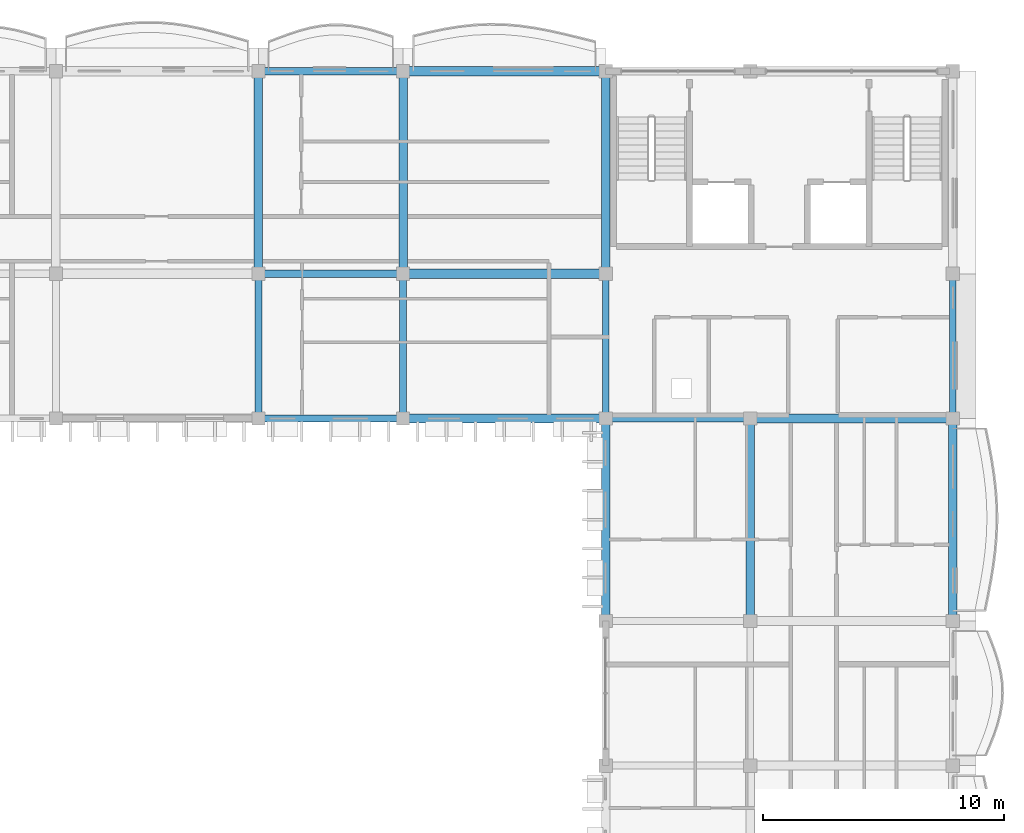
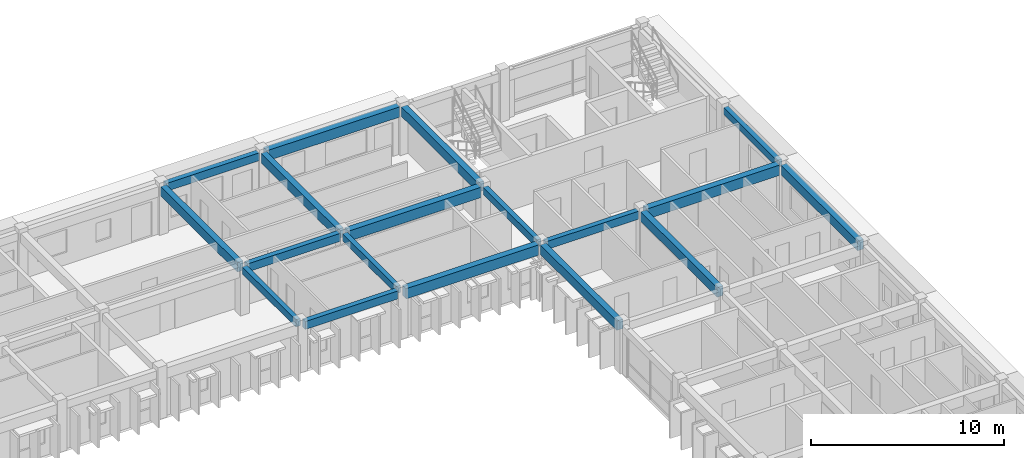
# One storey, part 15 of 54: 18 beams.
"""IFC4 building model written with IfcOpenShell, lengths in metres."""

from ifc_helpers import new_model, si_unit, direction, frame, origin, origin_2d, place, context, subcontext, project, spatial, rectangle, extrude, material, material_profile, profile_set, type_object, element, save


model = new_model("IFC4")

# Units and contexts
model_context = context("Model", 3, precision=1e-05, world=origin(), true_north=direction((0.0, 1.0)))
body_context = subcontext(model_context, "Body", "Model", "MODEL_VIEW")
ifc_project = project(units=[si_unit("LENGTHUNIT", "METRE"), si_unit("AREAUNIT", "SQUARE_METRE"), si_unit("VOLUMEUNIT", "CUBIC_METRE"), si_unit("PLANEANGLEUNIT", "RADIAN"), si_unit("MASSUNIT", "GRAM", prefix="KILO"), si_unit("THERMODYNAMICTEMPERATUREUNIT", "KELVIN")], contexts=[model_context])

# Site, building, storey
site_placement = place(None, origin())
site = spatial("IfcSite", under=ifc_project, at=site_placement, CompositionType="ELEMENT")
building_placement = place(site_placement, origin())
building = spatial("IfcBuilding", under=site, at=building_placement, Name="Thalorik Housing Commons", CompositionType="ELEMENT")
storey_placement = place(building_placement, frame((0.0, 0.0, 31.199951171875)))
storey = spatial("IfcBuildingStorey", under=building, at=storey_placement, Name="L09", CompositionType="ELEMENT", Elevation=31.199951171875)

# Beams
ifc_material = material(Name="Precast concrete C40/50", Category="concrete")
ifc_material_profile_1 = material_profile(ifc_material, rectangle(XDim=0.280029296875, YDim=0.449951171875, at=origin_2d()), Name="PC 280x450", Category="concrete")
ifc_profile_set_1 = profile_set([ifc_material_profile_1], Name="Precast concrete C40/50")
beam_type_1 = type_object("IfcBeamType", Name="STR-BM-PC280x450", PredefinedType="BEAM", material=ifc_profile_set_1)
for number, where, z_axis, x_axis, name in (
    (1, (138.0, 109.425048828125, 2.81494140625), (0.0, 1.0, 0.0), (-1.0, 0.0, 0.0), "L09 Beam B-450"),
    (2, (144.0, 109.425048828125, 2.81494140625), (0.0, 1.0, 0.0), (-1.0, 0.0, 0.0), "L09 Beam B-450"),
    (3, (152.39990234375, 109.425048828125, 2.81494140625), (0.0, 1.0, 0.0), (-1.0, 0.0, 0.0), "L09 Beam B-450"),
    (4, (166.800048828125, 109.425048828125, 2.81494140625), (0.0, 1.0, 0.0), (-1.0, 0.0, 0.0), "L09 Beam B-450"),
):
    element("IfcBeam", number, at=place(storey_placement, frame(where, z_axis=z_axis, x_axis=x_axis)), inside=storey, type_object=beam_type_1, Name=name, PredefinedType="BEAM", context=body_context, shape_type="SweptSolid", body=[
        extrude(rectangle(XDim=0.280029296875, YDim=0.449951171875, at=origin_2d()), origin(), (0.0, 0.0, 1.0), 5.550048828125),
    ])
ifc_material_profile_2 = material_profile(ifc_material, rectangle(XDim=0.300048828125, YDim=0.5, at=origin_2d()), Name="PC 300x500", Category="concrete")
ifc_profile_set_2 = profile_set([ifc_material_profile_2], Name="Precast concrete C40/50")
beam_type_2 = type_object("IfcBeamType", Name="STR-BM-PC300x500", PredefinedType="BEAM", material=ifc_profile_set_2)
beam_1_placement = place(storey_placement, frame((138.22509765625, 109.199951171875, 2.7900390625), z_axis=(1.0, 0.0, 0.0), x_axis=(0.0, 1.0, 0.0)))
element("IfcBeam", 5, at=beam_1_placement, inside=storey, type_object=beam_type_2, Name="L09 Beam B-500", PredefinedType="BEAM", context=body_context, shape_type="SweptSolid", body=[
    extrude(rectangle(XDim=0.300048828125, YDim=0.5, at=origin_2d()), origin(), (0.0, 0.0, 1.0), 5.5498046875),
])
beam_2_placement = place(storey_placement, frame((152.625, 109.199951171875, 2.7900390625), z_axis=(1.0, 0.0, 0.0), x_axis=(0.0, 1.0, 0.0)))
element("IfcBeam", 6, at=beam_2_placement, inside=storey, type_object=beam_type_2, Name="L09 Beam B-500", PredefinedType="BEAM", context=body_context, shape_type="SweptSolid", body=[
    extrude(rectangle(XDim=0.300048828125, YDim=0.5, at=origin_2d()), origin(), (0.0, 0.0, 1.0), 5.550048828125),
])
for number, where, z_axis, x_axis, name in (
    (7, (138.22509765625, 115.199951171875, 2.7900390625), (1.0, 0.0, 0.0), (0.0, 1.0, 0.0), "L09 Beam B-500"),
    (8, (138.22509765625, 123.60009765625, 2.7900390625), (1.0, 0.0, 0.0), (0.0, 1.0, 0.0), "L09 Beam B-500"),
):
    element("IfcBeam", number, at=place(storey_placement, frame(where, z_axis=z_axis, x_axis=x_axis)), inside=storey, type_object=beam_type_2, Name=name, PredefinedType="BEAM", context=body_context, shape_type="SweptSolid", body=[
        extrude(rectangle(XDim=0.300048828125, YDim=0.5, at=origin_2d()), origin(), (0.0, 0.0, 1.0), 5.5498046875),
    ])
ifc_material_profile_3 = material_profile(ifc_material, rectangle(XDim=0.35009765625, YDim=0.60009765625, at=origin_2d()), Name="PC 350x600", Category="concrete")
ifc_profile_set_3 = profile_set([ifc_material_profile_3], Name="Precast concrete C40/50")
beam_type_3 = type_object("IfcBeamType", Name="STR-BM-PC350x600", PredefinedType="BEAM", material=ifc_profile_set_3)
for number, where, z_axis, x_axis, name in (
    (9, (138.0, 115.425048828125, 2.739990234375), (0.0, 1.0, 0.0), (-1.0, 0.0, 0.0), "L09 Beam B-600"),
    (10, (144.0, 115.425048828125, 2.739990234375), (0.0, 1.0, 0.0), (-1.0, 0.0, 0.0), "L09 Beam B-600"),
):
    element("IfcBeam", number, at=place(storey_placement, frame(where, z_axis=z_axis, x_axis=x_axis)), inside=storey, type_object=beam_type_3, Name=name, PredefinedType="BEAM", context=body_context, shape_type="SweptSolid", body=[
        extrude(rectangle(XDim=0.35009765625, YDim=0.60009765625, at=origin_2d()), origin(), (0.0, 0.0, 1.0), 7.949951171875),
    ])
beam_3_placement = place(storey_placement, frame((152.39990234375, 101.02490234375, 2.739990234375), z_axis=(0.0, 1.0, 0.0), x_axis=(-1.0, 0.0, 0.0)))
element("IfcBeam", 11, at=beam_3_placement, inside=storey, type_object=beam_type_3, Name="L09 Beam B-600", PredefinedType="BEAM", context=body_context, shape_type="SweptSolid", body=[
    extrude(rectangle(XDim=0.35009765625, YDim=0.60009765625, at=origin_2d()), origin(), (0.0, 0.0, 1.0), 7.9501953125),
])
beam_4_placement = place(storey_placement, frame((152.39990234375, 115.425048828125, 2.739990234375), z_axis=(0.0, 1.0, 0.0), x_axis=(-1.0, 0.0, 0.0)))
element("IfcBeam", 12, at=beam_4_placement, inside=storey, type_object=beam_type_3, Name="L09 Beam B-600", PredefinedType="BEAM", context=body_context, shape_type="SweptSolid", body=[
    extrude(rectangle(XDim=0.35009765625, YDim=0.60009765625, at=origin_2d()), origin(), (0.0, 0.0, 1.0), 7.949951171875),
])
for number, where, z_axis, x_axis, name in (
    (13, (158.39990234375, 101.02490234375, 2.739990234375), (0.0, 1.0, 0.0), (-1.0, 0.0, 0.0), "L09 Beam B-600"),
    (14, (166.800048828125, 101.02490234375, 2.739990234375), (0.0, 1.0, 0.0), (-1.0, 0.0, 0.0), "L09 Beam B-600"),
):
    element("IfcBeam", number, at=place(storey_placement, frame(where, z_axis=z_axis, x_axis=x_axis)), inside=storey, type_object=beam_type_3, Name=name, PredefinedType="BEAM", context=body_context, shape_type="SweptSolid", body=[
        extrude(rectangle(XDim=0.35009765625, YDim=0.60009765625, at=origin_2d()), origin(), (0.0, 0.0, 1.0), 7.9501953125),
    ])
ifc_material_profile_4 = material_profile(ifc_material, rectangle(XDim=0.3798828125, YDim=0.64990234375, at=origin_2d()), Name="PC 380x650", Category="concrete")
ifc_profile_set_4 = profile_set([ifc_material_profile_4], Name="Precast concrete C40/50")
beam_type_4 = type_object("IfcBeamType", Name="STR-BM-PC380x650", PredefinedType="BEAM", material=ifc_profile_set_4)
for number, where, z_axis, x_axis, name in (
    (15, (144.22509765625, 109.199951171875, 2.715087890625), (1.0, 0.0, 0.0), (0.0, 1.0, 0.0), "L09 Beam B-650"),
    (16, (158.625, 109.199951171875, 2.715087890625), (1.0, 0.0, 0.0), (0.0, 1.0, 0.0), "L09 Beam B-650"),
    (17, (144.22509765625, 115.199951171875, 2.715087890625), (1.0, 0.0, 0.0), (0.0, 1.0, 0.0), "L09 Beam B-650"),
    (18, (144.22509765625, 123.60009765625, 2.715087890625), (1.0, 0.0, 0.0), (0.0, 1.0, 0.0), "L09 Beam B-650"),
):
    element("IfcBeam", number, at=place(storey_placement, frame(where, z_axis=z_axis, x_axis=x_axis)), inside=storey, type_object=beam_type_4, Name=name, PredefinedType="BEAM", context=body_context, shape_type="SweptSolid", body=[
        extrude(rectangle(XDim=0.3798828125, YDim=0.64990234375, at=origin_2d()), origin(), (0.0, 0.0, 1.0), 7.949951171875),
    ])

save(model, "model.ifc")
